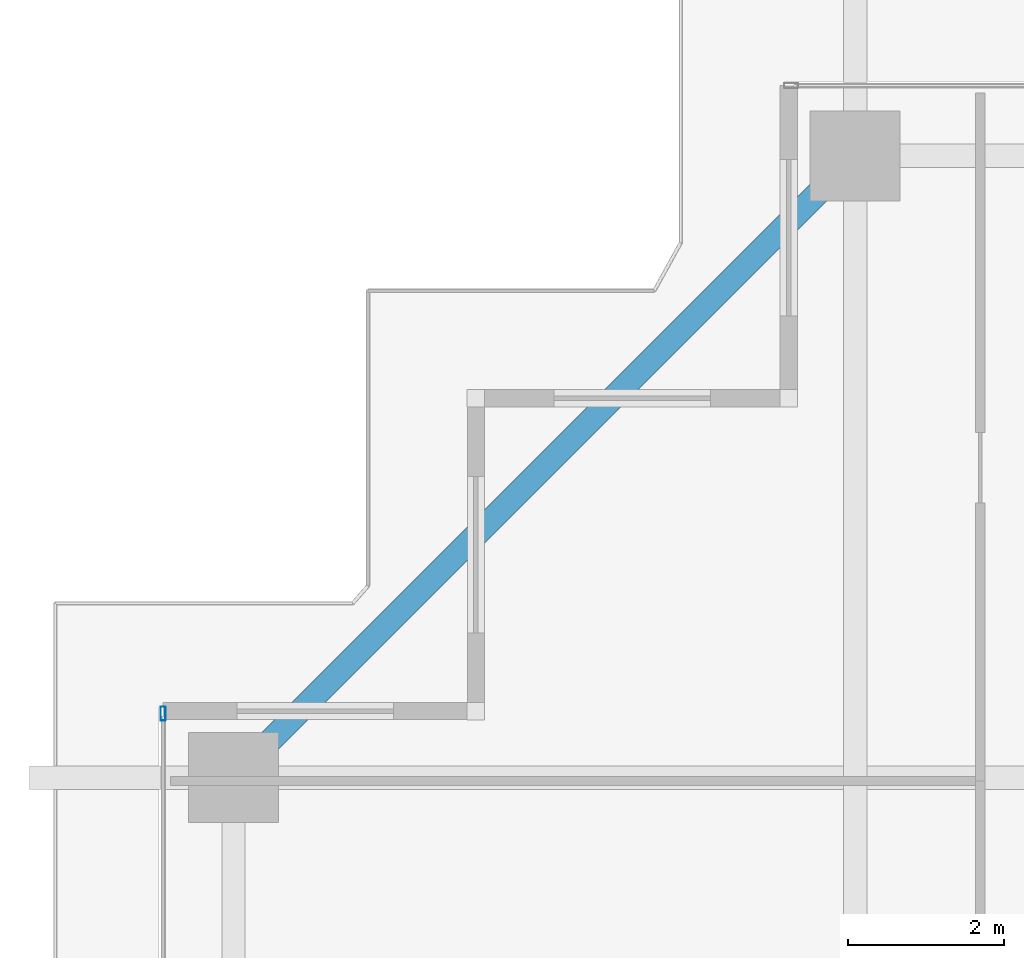
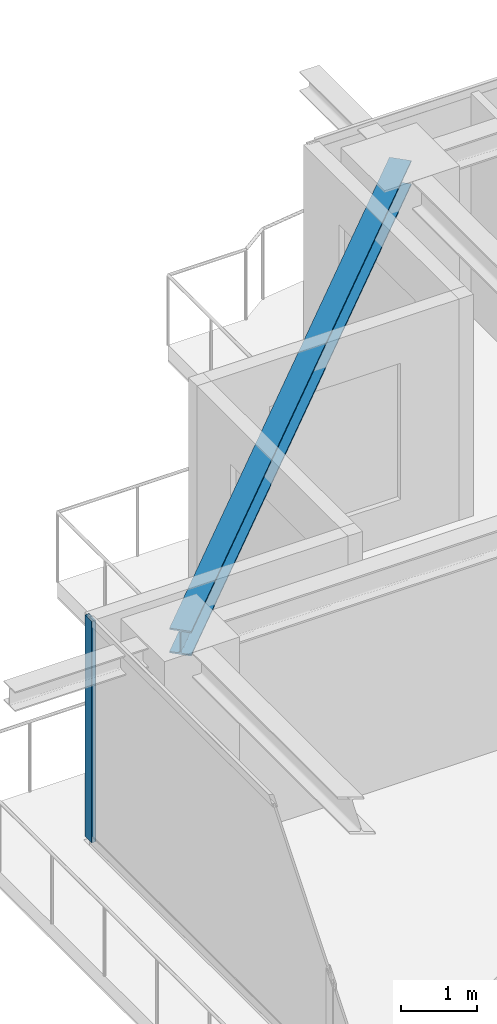
# One storey, part 18 of 37: 1 beam, 1 member, 1 element without a shape of its own.
"""IFC4 building model written with IfcOpenShell, lengths in metres."""

from ifc_helpers import new_model, si_unit, direction, frame, origin, origin_2d, place, context, subcontext, project, spatial, hollow_rectangle, i_section, extrude, source, transform, mapped, material, layer, layer_set, material_profile, profile_set, type_object, element, aggregate, save


model = new_model("IFC4")

# Units and contexts
model_context = context("Model", 3, precision=1e-05, world=origin(), true_north=direction((0.0, 1.0)))
body_context = subcontext(model_context, "Body", "Model", "MODEL_VIEW")
ifc_project = project(units=[si_unit("LENGTHUNIT", "METRE"), si_unit("AREAUNIT", "SQUARE_METRE"), si_unit("VOLUMEUNIT", "CUBIC_METRE"), si_unit("PLANEANGLEUNIT", "RADIAN"), si_unit("MASSUNIT", "GRAM", prefix="KILO")], contexts=[model_context])

# Site, building, storey
site_placement = place(None, origin())
site = spatial("IfcSite", under=ifc_project, at=site_placement, CompositionType="ELEMENT")
building_placement = place(site_placement, origin())
building = spatial("IfcBuilding", under=site, at=building_placement, Name="Serunith Strait Residences", CompositionType="ELEMENT")
storey_placement = place(building_placement, frame((0.0, 0.0, 233.550048828125)))
storey = spatial("IfcBuildingStorey", under=building, at=storey_placement, Name="L58", CompositionType="ELEMENT", Elevation=233.550048828125)

# Beam
ifc_material_1 = material(Name="Steel S355J2", Category="steel")
ifc_material_profile_1 = material_profile(ifc_material_1, i_section(OverallWidth=0.300048828125, OverallDepth=0.39990234375, WebThickness=0.013427734375, FlangeThickness=0.02392578125, FilletRadius=0.027099609375, at=origin_2d()), Name="HEB 400")
ifc_profile_set_1 = profile_set([ifc_material_profile_1], Name="Steel S355J2")
beam_type = type_object("IfcBeamType", Name="BM-HEB400", PredefinedType="BEAM", material=ifc_profile_set_1)
shared_shape_1 = source(origin(), body_context, "Body", "SweptSolid", [
    extrude(i_section(OverallWidth=0.300048828125, OverallDepth=0.39990234375, WebThickness=0.013427734375, FlangeThickness=0.02392578125, FilletRadius=0.027099609375, at=origin_2d()), origin(), (0.0, 0.0, 1.0), 11.242919921875),
])
beam_placement = place(storey_placement, frame((16.25, 48.300048828125, 3.35693359375), z_axis=(-0.707106781187, -0.707106781187, 0.0), x_axis=(0.707106781187, -0.707106781187, 0.0)))
element("IfcBeam", 1, at=beam_placement, inside=storey, type_object=beam_type, Name="L58 Perimeter Ring Beam 12", PredefinedType="BEAM", context=body_context, shape_type="MappedRepresentation", body=[
    mapped(shared_shape_1, transform((0.0, 0.0, 0.0), scale=1.0)),
])

# Curtain wall, member
ifc_material_2 = material(Name="Pale-Champagne Anodised Aluminium", Category="aluminium")
ifc_layer = layer(ifc_material_2, 0.199951171875, Name="Pale-Champagne Anodised Aluminium")
ifc_layer_set = layer_set([ifc_layer], Name="Pale-Champagne Anodised Aluminium")
curtain_wall_type = type_object("IfcCurtainWallType", Name="CW-SYS4", PredefinedType="NOTDEFINED", material=ifc_layer_set)
curtain_wall_placement = place(storey_placement, origin())
curtain_wall = element("IfcCurtainWall", 2, at=curtain_wall_placement, inside=storey, type_object=curtain_wall_type, Name="L58 W Unitised Fritted Curtain Wall", PredefinedType="NOTDEFINED")
ifc_material_profile_2 = material_profile(ifc_material_2, hollow_rectangle(XDim=0.06494140625, YDim=0.179931640625, WallThickness=0.00341796875, InnerFilletRadius=0.00537109375, OuterFilletRadius=0.0087890625, at=origin_2d()), Name="ALU 180x65x3.5")
ifc_profile_set_2 = profile_set([ifc_material_profile_2], Name="Pale-Champagne Anodised Aluminium")
member_type = type_object("IfcMemberType", Name="CW-SYS4-MULL", PredefinedType="MULLION", material=ifc_profile_set_2)
shared_shape_2 = source(origin(), body_context, "Body", "SweptSolid", [
    extrude(hollow_rectangle(XDim=0.06494140625, YDim=0.179931640625, WallThickness=0.00341796875, InnerFilletRadius=0.00537109375, OuterFilletRadius=0.0087890625, at=origin_2d()), origin(), (0.0, 0.0, 1.0), 3.574951171875),
])
member_placement = place(storey_placement, frame((7.39990234375, 41.16748046875, 0.0), z_axis=(0.0, 0.0, 1.0), x_axis=(1.0, 0.0, 0.0)))
member = element("IfcMember", 3, at=member_placement, type_object=member_type, Name="CW-4 mullion 1", PredefinedType="MULLION", context=body_context, shape_type="MappedRepresentation", body=[
    mapped(shared_shape_2, transform((0.0, 0.0, 0.0), scale=1.0)),
])
aggregate(curtain_wall, [member])

save(model, "model.ifc")
